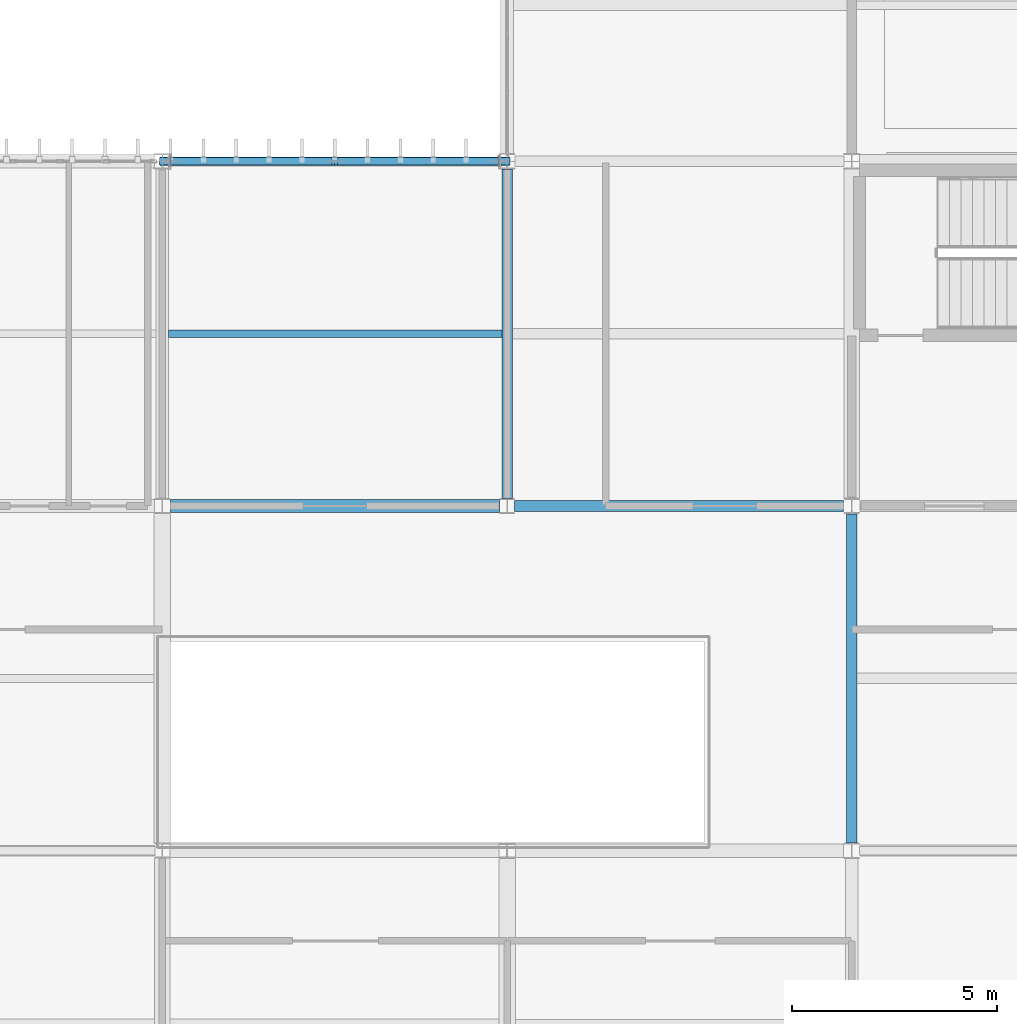
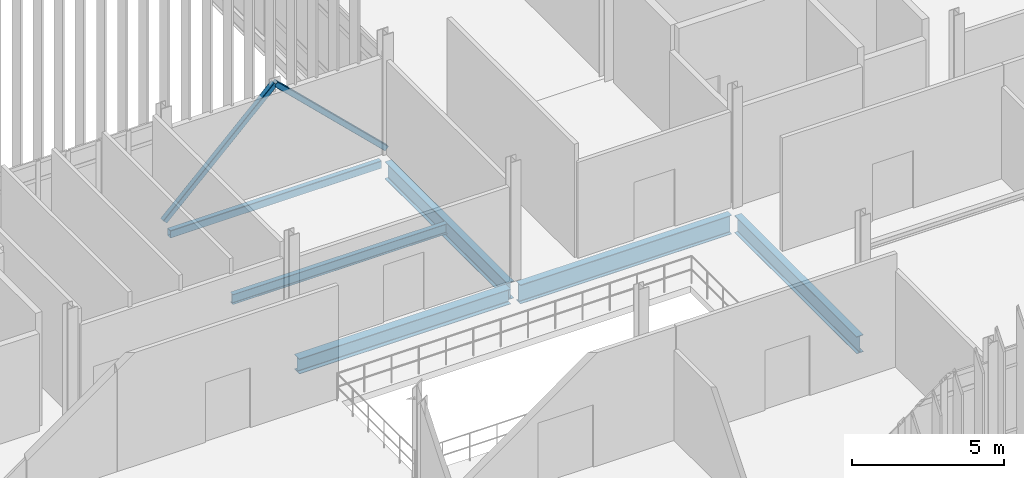
# One storey, part 29 of 153: 6 beams, 2 members.
"""IFC4 building model written with IfcOpenShell, lengths in metres."""

from ifc_helpers import new_model, si_unit, direction, frame, origin, origin_2d, place, context, subcontext, project, spatial, hollow_rectangle, i_section, extrude, material, material_profile, profile_set, type_object, element, save


model = new_model("IFC4")

# Units and contexts
model_context = context("Model", 3, precision=1e-05, world=origin(), true_north=direction((0.0, 1.0)))
body_context = subcontext(model_context, "Body", "Model", "MODEL_VIEW")
ifc_project = project(units=[si_unit("LENGTHUNIT", "METRE"), si_unit("AREAUNIT", "SQUARE_METRE"), si_unit("VOLUMEUNIT", "CUBIC_METRE"), si_unit("PLANEANGLEUNIT", "RADIAN"), si_unit("MASSUNIT", "GRAM", prefix="KILO")], contexts=[model_context])

# Site, building, storey
site_placement = place(None, origin())
site = spatial("IfcSite", under=ifc_project, at=site_placement, CompositionType="ELEMENT")
building_placement = place(site_placement, origin())
building = spatial("IfcBuilding", under=site, at=building_placement, Name="Calvrana Isthmian Art Gallery", CompositionType="ELEMENT")
storey_placement = place(building_placement, frame((0.0, 0.0, 10.199951171875)))
storey = spatial("IfcBuildingStorey", under=building, at=storey_placement, Name="L02", CompositionType="ELEMENT", Elevation=10.199951171875)

# Beams
ifc_material_1 = material(Name="Steel ASTM A992 Gr 50", Category="steel")
ifc_material_profile_1 = material_profile(ifc_material_1, i_section(OverallWidth=0.324951171875, OverallDepth=0.612060546875, WebThickness=0.0126953125, FlangeThickness=0.01904296875, FilletRadius=0.02197265625, at=origin_2d()), Name="W24X104")
ifc_profile_set_1 = profile_set([ifc_material_profile_1], Name="Steel ASTM A992 Gr 50")
beam_type_1 = type_object("IfcBeamType", Name="BM-G-W24X104", PredefinedType="BEAM", material=ifc_profile_set_1)
beam_1_placement = place(storey_placement, frame((46.9970703125, 38.39990234375, -0.571044921875), z_axis=(1.0, 0.0, 0.0), x_axis=(0.0, 1.0, 0.0)))
element("IfcBeam", 1, at=beam_1_placement, inside=storey, type_object=beam_type_1, Name="Girder X L02 07-08/F", PredefinedType="BEAM", context=body_context, shape_type="SweptSolid", body=[
    extrude(i_section(OverallWidth=0.324951171875, OverallDepth=0.612060546875, WebThickness=0.0126953125, FlangeThickness=0.01904296875, FilletRadius=0.02197265625, at=origin_2d()), origin(), (0.0, 0.0, 1.0), 8.016357421875),
])
ifc_material_profile_2 = material_profile(ifc_material_1, i_section(OverallWidth=0.257080078125, OverallDepth=0.693115234375, WebThickness=0.014404296875, FlangeThickness=0.023681640625, FilletRadius=0.02392578125, at=origin_2d()), Name="W27X114")
ifc_profile_set_2 = profile_set([ifc_material_profile_2], Name="Steel ASTM A992 Gr 50")
beam_type_2 = type_object("IfcBeamType", Name="BM-G-W27X114", PredefinedType="BEAM", material=ifc_profile_set_2)
beam_2_placement = place(storey_placement, frame((55.199951171875, 38.58642578125, -0.611572265625), z_axis=(0.0, 1.0, 0.0), x_axis=(-1.0, 0.0, 0.0)))
element("IfcBeam", 2, at=beam_2_placement, inside=storey, type_object=beam_type_2, Name="Girder Y L02 08/F-G", PredefinedType="BEAM", context=body_context, shape_type="SweptSolid", body=[
    extrude(i_section(OverallWidth=0.257080078125, OverallDepth=0.693115234375, WebThickness=0.014404296875, FlangeThickness=0.023681640625, FilletRadius=0.02392578125, at=origin_2d()), origin(), (0.0, 0.0, 1.0), 8.025634765625),
])
beam_3_placement = place(storey_placement, frame((63.60009765625, 30.1904296875, -0.611572265625), z_axis=(0.0, 1.0, 0.0), x_axis=(-1.0, 0.0, 0.0)))
element("IfcBeam", 3, at=beam_3_placement, inside=storey, type_object=beam_type_2, Name="Girder Y L02 09/E-F", PredefinedType="BEAM", context=body_context, shape_type="SweptSolid", body=[
    extrude(i_section(OverallWidth=0.257080078125, OverallDepth=0.693115234375, WebThickness=0.014404296875, FlangeThickness=0.023681640625, FilletRadius=0.02392578125, at=origin_2d()), origin(), (0.0, 0.0, 1.0), 8.0166015625),
])
ifc_material_profile_3 = material_profile(ifc_material_1, i_section(OverallWidth=0.26708984375, OverallDepth=0.761962890625, WebThickness=0.014404296875, FlangeThickness=0.021484375, FilletRadius=0.02490234375, at=origin_2d()), Name="W30X116")
ifc_profile_set_3 = profile_set([ifc_material_profile_3], Name="Steel ASTM A992 Gr 50")
beam_type_3 = type_object("IfcBeamType", Name="BM-G-W30X116", PredefinedType="BEAM", material=ifc_profile_set_3)
beam_4_placement = place(storey_placement, frame((55.386474609375, 38.39990234375, -0.64599609375), z_axis=(1.0, 0.0, 0.0), x_axis=(0.0, 1.0, 0.0)))
element("IfcBeam", 4, at=beam_4_placement, inside=storey, type_object=beam_type_3, Name="Girder X L02 08-09/F", PredefinedType="BEAM", context=body_context, shape_type="SweptSolid", body=[
    extrude(i_section(OverallWidth=0.26708984375, OverallDepth=0.761962890625, WebThickness=0.014404296875, FlangeThickness=0.021484375, FilletRadius=0.02490234375, at=origin_2d()), origin(), (0.0, 0.0, 1.0), 8.013916015625),
])
ifc_material_profile_4 = material_profile(ifc_material_1, i_section(OverallWidth=0.177978515625, OverallDepth=0.404052734375, WebThickness=0.007568359375, FlangeThickness=0.010986328125, FilletRadius=0.01806640625, at=origin_2d()), Name="W16X36")
ifc_profile_set_4 = profile_set([ifc_material_profile_4], Name="Steel ASTM A992 Gr 50")
beam_type_4 = type_object("IfcBeamType", Name="BM-J-W16X36", PredefinedType="JOIST", material=ifc_profile_set_4)
beam_5_placement = place(storey_placement, frame((46.95361328125, 42.60009765625, -0.467041015625), z_axis=(1.0, 0.0, 0.0), x_axis=(0.0, 1.0, 0.0)))
element("IfcBeam", 5, at=beam_5_placement, inside=storey, type_object=beam_type_4, Name="Composite joist L02 bay 06-05", PredefinedType="JOIST", context=body_context, shape_type="SweptSolid", body=[
    extrude(i_section(OverallWidth=0.177978515625, OverallDepth=0.404052734375, WebThickness=0.007568359375, FlangeThickness=0.010986328125, FilletRadius=0.01806640625, at=origin_2d()), origin(), (0.0, 0.0, 1.0), 8.117919921875),
])
ifc_material_2 = material(Name="Steel ASTM A500 Gr C", Category="steel")
ifc_material_profile_5 = material_profile(ifc_material_2, hollow_rectangle(XDim=0.203125, YDim=0.3046875, WallThickness=0.0126953125, OuterFilletRadius=0.02490234375, at=origin_2d()), Name="HSS305X203X12.7")
ifc_profile_set_5 = profile_set([ifc_material_profile_5], Name="Steel ASTM A500 Gr C")
beam_type_5 = type_object("IfcBeamType", Name="BM-SP-HSS305", PredefinedType="SPANDREL", material=ifc_profile_set_5)
beam_6_placement = place(storey_placement, frame((46.998046875, 46.800048828125, -0.417236328125), z_axis=(1.0, 0.0, 0.0), x_axis=(0.0, 1.0, 0.0)))
element("IfcBeam", 6, at=beam_6_placement, inside=storey, type_object=beam_type_5, Name="Girder X L02 07-08/G", PredefinedType="SPANDREL", context=body_context, shape_type="SweptSolid", body=[
    extrude(hollow_rectangle(XDim=0.203125, YDim=0.3046875, WallThickness=0.0126953125, OuterFilletRadius=0.02490234375, at=origin_2d()), origin(), (0.0, 0.0, 1.0), 8.0048828125),
])

# Members
ifc_material_profile_6 = material_profile(ifc_material_2, hollow_rectangle(XDim=0.203125, YDim=0.203125, WallThickness=0.0126953125, OuterFilletRadius=0.02490234375, at=origin_2d()), Name="HSS203X203X12.7")
ifc_profile_set_6 = profile_set([ifc_material_profile_6], Name="Steel ASTM A500 Gr C")
member_type = type_object("IfcMemberType", Name="MB-BR-RHS203", PredefinedType="BRACE", material=ifc_profile_set_6)
for number, where, z_axis, x_axis, name in (
    (7, (46.800048828125, 46.800048828125, 0.150146484375), (0.719125534205, 0.0, 0.694880181078), (0.0, 1.0, 0.0), "Chevron lateral brace L02-4A"),
    (8, (55.199951171875, 46.800048828125, 0.150146484375), (-0.719125534205, 0.0, 0.694880181078), (0.0, -1.0, 0.0), "Chevron lateral brace L02-4B"),
):
    element("IfcMember", number, at=place(storey_placement, frame(where, z_axis=z_axis, x_axis=x_axis)), inside=storey, type_object=member_type, Name=name, PredefinedType="BRACE", context=body_context, shape_type="SweptSolid", body=[
        extrude(hollow_rectangle(XDim=0.203125, YDim=0.203125, WallThickness=0.0126953125, OuterFilletRadius=0.02490234375, at=origin_2d()), origin(), (0.0, 0.0, 1.0), 5.84033203125),
    ])

save(model, "model.ifc")
